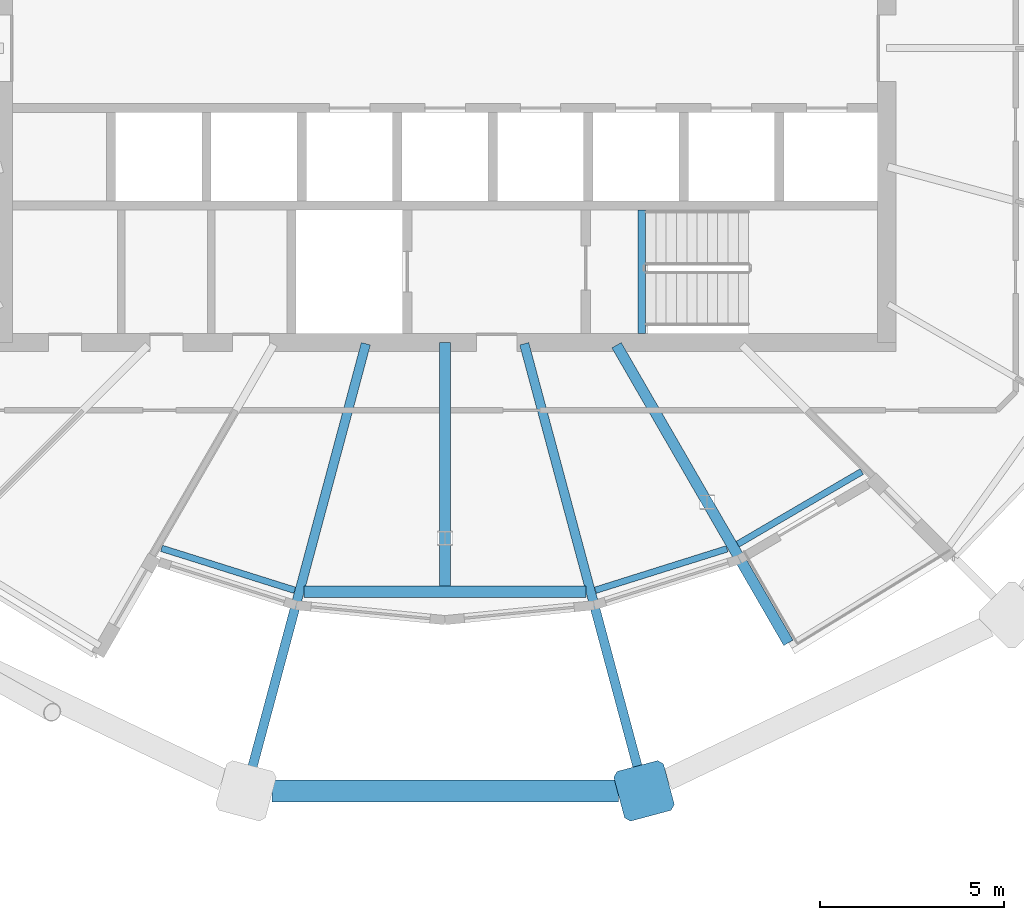
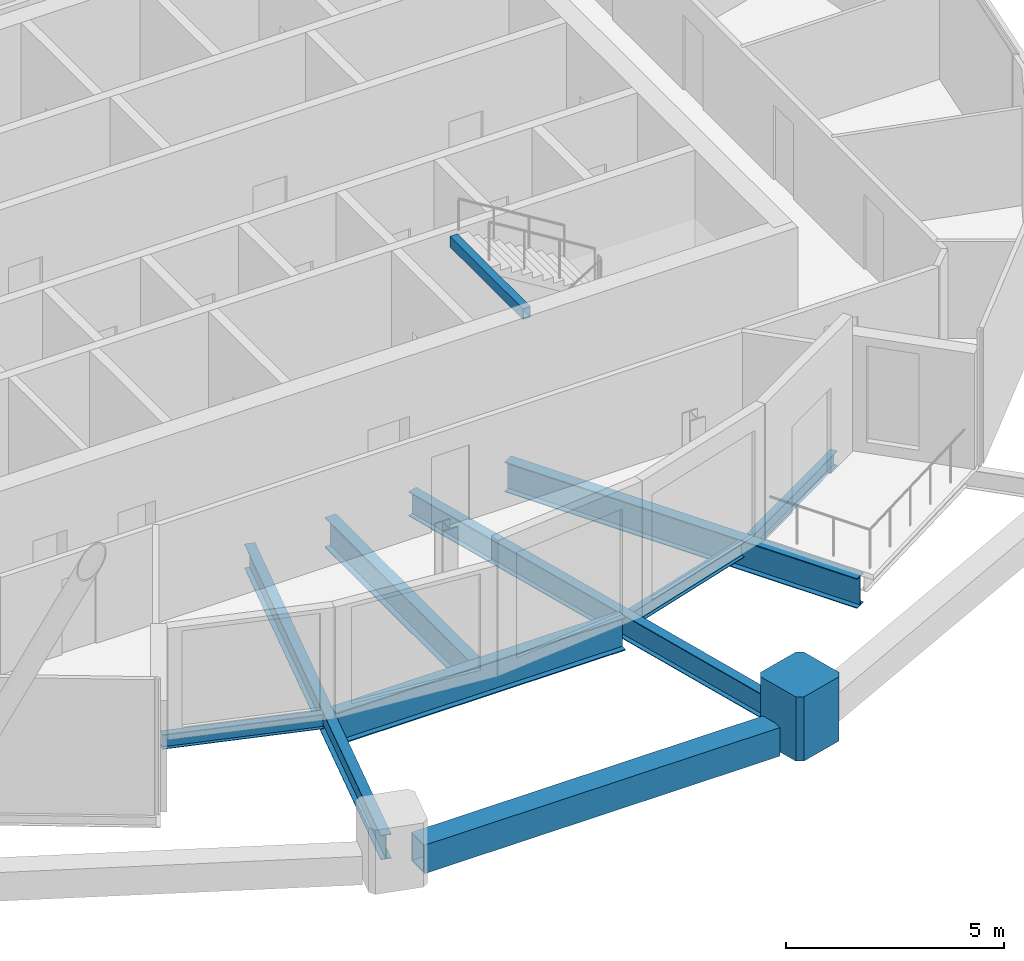
# One storey, part 4 of 34: 10 beams, 1 member.
"""IFC4 building model written with IfcOpenShell, lengths in metres."""

import ifcopenshell
import ifcopenshell.guid

model = None  # the IFC model being written
_history = None  # IfcOwnerHistory: only IFC2X3 demands one
_inside = {}  # id of a spatial element -> (the spatial element, [elements in it])
_under = {}  # id of a project, library or spatial element -> (it, [spatial elements below it])
_declared = {}  # id of a project -> (the project, [libraries it declares])
_typed = {}  # id of a type object -> (the type object, [elements of that type])
_made_of = {}  # id of a material, layer set ... -> (it, [elements and type objects made of it])


def new_model(schema):
    """Start an empty IFC model of exactly this schema.

    Asked for "IFC4X3", IfcOpenShell would pick the latest addendum, in which some entities
    have other attributes; the version numbers below select the first issue.
    IFC2X3 requires an IfcOwnerHistory on every rooted entity: one is made here for all.
    """
    global model, _history
    if schema == "IFC4X3":
        model = ifcopenshell.file(schema_version=(4, 3, 0, 0))
    else:
        model = ifcopenshell.file(schema=schema)
    _inside.clear()
    _under.clear()
    _declared.clear()
    _typed.clear()
    _made_of.clear()
    _history = None
    if model.schema == "IFC2X3":
        org = make("IfcOrganization", Name="unknown")
        user = make(
            "IfcPersonAndOrganization",
            ThePerson=make("IfcPerson", FamilyName="unknown"),
            TheOrganization=org,
        )
        app = make(
            "IfcApplication",
            ApplicationDeveloper=org,
            Version="unknown",
            ApplicationFullName="unknown",
            ApplicationIdentifier="unknown",
        )
        _history = make(
            "IfcOwnerHistory",
            OwningUser=user,
            OwningApplication=app,
            ChangeAction="ADDED",
            CreationDate=0,
        )
    return model


def make(cls, **values):
    """One entity of the class cls with the attributes given. An attribute that is None is left unset."""
    return model.create_entity(
        cls, **{name: value for name, value in values.items() if value is not None}
    )


def rooted(cls, **values):
    """An entity with a GlobalId (a new one), such as an element, a storey or a relation."""
    return make(cls, GlobalId=ifcopenshell.guid.new(), OwnerHistory=_history, **values)


def si_unit(unit_type, name, prefix=None):
    """IfcSIUnit, for example si_unit("LENGTHUNIT", "METRE", prefix="MILLI")."""
    return make("IfcSIUnit", UnitType=unit_type, Prefix=prefix, Name=name)


def assignment(units):
    """IfcUnitAssignment: the units of a project."""
    return None if units is None else make("IfcUnitAssignment", Units=units)


def point(xyz):
    """IfcCartesianPoint."""
    return None if xyz is None else make("IfcCartesianPoint", Coordinates=xyz)


def direction(xyz):
    """IfcDirection."""
    return None if xyz is None else make("IfcDirection", DirectionRatios=xyz)


def frame(location, z_axis=None, x_axis=None):
    """IfcAxis2Placement3D, a coordinate frame: its origin and axes. An axis left out is left unset."""
    return make(
        "IfcAxis2Placement3D",
        Location=point(location),
        Axis=direction(z_axis),
        RefDirection=direction(x_axis),
    )


def frame_2d(location, x_axis=None):
    """IfcAxis2Placement2D, a coordinate frame in the plane: its origin and x axis."""
    return make(
        "IfcAxis2Placement2D", Location=point(location), RefDirection=direction(x_axis)
    )


def origin():
    """The frame at (0, 0, 0) with its axes left unset."""
    return frame((0.0, 0.0, 0.0))


def origin_2d():
    """The frame at (0, 0) in the plane with its x axis left unset."""
    return frame_2d((0.0, 0.0))


def place(relative_to, where):
    """IfcLocalPlacement: puts the frame where relative to a parent placement (None: the world)."""
    return make(
        "IfcLocalPlacement", PlacementRelTo=relative_to, RelativePlacement=where
    )


def context(
    kind, dimensions, precision=None, world=None, true_north=None, identifier=None
):
    """IfcGeometricRepresentationContext, for example the 3D "Model" context."""
    return make(
        "IfcGeometricRepresentationContext",
        ContextIdentifier=identifier,
        ContextType=kind,
        CoordinateSpaceDimension=dimensions,
        Precision=precision,
        WorldCoordinateSystem=world,
        TrueNorth=true_north,
    )


def subcontext(parent, identifier, kind, view, scale=None):
    """IfcGeometricRepresentationSubContext, for example "Body" below "Model"."""
    return make(
        "IfcGeometricRepresentationSubContext",
        ContextIdentifier=identifier,
        ContextType=kind,
        ParentContext=parent,
        TargetScale=scale,
        TargetView=view,
    )


def project(units=None, contexts=None):
    """IfcProject with its units and contexts."""
    return rooted(
        "IfcProject",
        Name="project",
        RepresentationContexts=contexts,
        UnitsInContext=assignment(units),
    )


def spatial(cls, under=None, at=None, **own):
    """A site, building, storey or space (cls), placed at a placement, below another one or the project."""
    s = rooted(cls, ObjectPlacement=at, **own)
    if under is not None:
        _under.setdefault(under.id(), (under, []))[1].append(s)
    return s


def polyline(points):
    """IfcPolyline through the points."""
    return make("IfcPolyline", Points=[point(p) for p in points])


def profile(cls, at=None, kind="AREA", **sizes):
    """A parametric profile (cls). Its sizes go by their IFC names, for example OverallWidth=200.0."""
    return make(cls, ProfileType=kind, Position=at, **sizes)


def hollow_rectangle(**sizes):
    """IfcRectangleHollowProfileDef."""
    return profile("IfcRectangleHollowProfileDef", **sizes)


def i_section(**sizes):
    """IfcIShapeProfileDef."""
    return profile("IfcIShapeProfileDef", **sizes)


def outline(outer, holes=None, kind="AREA"):
    """IfcArbitraryClosedProfileDef: a profile drawn as a closed curve; with holes, ...WithVoids."""
    if holes is None:
        return make("IfcArbitraryClosedProfileDef", ProfileType=kind, OuterCurve=outer)
    return make(
        "IfcArbitraryProfileDefWithVoids",
        ProfileType=kind,
        OuterCurve=outer,
        InnerCurves=holes,
    )


def extrude(swept, where, along, depth):
    """IfcExtrudedAreaSolid: the profile swept, set in the frame where, extruded along a direction by depth."""
    return make(
        "IfcExtrudedAreaSolid",
        SweptArea=swept,
        Position=where,
        ExtrudedDirection=direction(along),
        Depth=depth,
    )


def shape(context_of_items, identifier, shape_type, items):
    """IfcShapeRepresentation: the items that make up one representation, for example the "Body"."""
    return make(
        "IfcShapeRepresentation",
        ContextOfItems=context_of_items,
        RepresentationIdentifier=identifier,
        RepresentationType=shape_type,
        Items=items,
    )


def material(Name=None, Category=None):
    """IfcMaterial."""
    return make("IfcMaterial", Name=Name, Category=Category)


def material_profile(
    of_material, cross_section, Name=None, Category=None, Priority=None
):
    """IfcMaterialProfile: a cross section and its material."""
    return make(
        "IfcMaterialProfile",
        Name=Name,
        Material=of_material,
        Profile=cross_section,
        Priority=Priority,
        Category=Category,
    )


def profile_set(profiles, Name=None, composite=None):
    """IfcMaterialProfileSet."""
    return make(
        "IfcMaterialProfileSet",
        Name=Name,
        MaterialProfiles=profiles,
        CompositeProfile=composite,
    )


def made_of(thing, what):
    """Note that an element or type object is made of a material, layer set ...; save() writes the relation."""
    if what is not None:
        _made_of.setdefault(what.id(), (what, []))[1].append(thing)
    return thing


def type_object(cls, material=None, **own):
    """A type object (cls), such as IfcWallType, which elements share."""
    return made_of(rooted(cls, **own), material)


def element(
    cls,
    number,
    at=None,
    inside=None,
    cuts=None,
    type_object=None,
    material=None,
    context=None,
    identifier="Body",
    shape_type=None,
    held_by="IfcProductDefinitionShape",
    body=None,
    shapes=None,
    **own,
):
    """One element of the class cls, such as IfcWall. Its Tag is "e" and its number.

    at: its placement. inside: the storey or other place that contains it. cuts: it is an
    opening in that element (IfcRelVoidsElement). A single representation is given by context,
    identifier, shape_type and body (its items); several are given by shapes. held_by: the class
    of the entity that holds the representations. save() writes the other relations.
    """
    e = rooted(cls, Tag="e%d" % number, ObjectPlacement=at, **own)
    if body is not None:
        shapes = [shape(context, identifier, shape_type, body)]
    if shapes is not None:
        e.Representation = make(held_by, Representations=shapes)
    if inside is not None:
        _inside.setdefault(inside.id(), (inside, []))[1].append(e)
    if cuts is not None:
        rooted(
            "IfcRelVoidsElement", RelatingBuildingElement=cuts, RelatedOpeningElement=e
        )
    if type_object is not None:
        _typed.setdefault(type_object.id(), (type_object, []))[1].append(e)
    return made_of(e, material)


def aggregate(whole, parts):
    """IfcRelAggregates: a whole, such as a stair, and the parts it consists of."""
    return rooted("IfcRelAggregates", RelatingObject=whole, RelatedObjects=parts)


def save(model, path):
    """Write the relations noted so far, then the file.

    IfcRelAggregates (storeys below a building ...), IfcRelContainedInSpatialStructure (elements
    in a storey), IfcRelDefinesByType, IfcRelAssociatesMaterial and IfcRelDeclares: one each for
    every whole, place, type object, material and project.
    """
    for whole, parts in _under.values():
        aggregate(whole, parts)
    for where, things in _inside.values():
        rooted(
            "IfcRelContainedInSpatialStructure",
            RelatedElements=things,
            RelatingStructure=where,
        )
    for kind, things in _typed.values():
        rooted("IfcRelDefinesByType", RelatedObjects=things, RelatingType=kind)
    for what, things in _made_of.values():
        rooted("IfcRelAssociatesMaterial", RelatedObjects=things, RelatingMaterial=what)
    for by, libraries in _declared.values():
        rooted("IfcRelDeclares", RelatingContext=by, RelatedDefinitions=libraries)
    model.write(path)


model = new_model("IFC4")

# Units and contexts
model_context = context("Model", 3, precision=1e-05, world=origin(), true_north=direction((0.0, 1.0)))
body_context = subcontext(model_context, "Body", "Model", "MODEL_VIEW")
ifc_project = project(units=[si_unit("LENGTHUNIT", "METRE"), si_unit("AREAUNIT", "SQUARE_METRE"), si_unit("VOLUMEUNIT", "CUBIC_METRE"), si_unit("PLANEANGLEUNIT", "RADIAN"), si_unit("MASSUNIT", "GRAM", prefix="KILO")], contexts=[model_context])

# Site, building, storey
site_placement = place(None, origin())
site = spatial("IfcSite", under=ifc_project, at=site_placement, CompositionType="ELEMENT")
building_placement = place(site_placement, origin())
building = spatial("IfcBuilding", under=site, at=building_placement, Name="Rimbun Link Towers", CompositionType="ELEMENT")
storey_placement = place(building_placement, frame((0.0, 0.0, 221.89990234375)))
storey = spatial("IfcBuildingStorey", under=building, at=storey_placement, Name="L54", CompositionType="ELEMENT", Elevation=221.89990234375)

# Member
ifc_material_1 = material(Name="Cast steel G20Mn5+QT, Rp0.2 300 MPa", Category="steel")
ifc_material_profile_1 = material_profile(ifc_material_1, outline(polyline([(0.699951171875, -0.570068359375), (0.699951171875, 0.570068359375), (0.570068359375, 0.699951171875), (-0.570068359375, 0.699951171875), (-0.699951171875, 0.570068359375), (-0.699951171875, -0.570068359375), (-0.570068359375, -0.699951171875), (0.570068359375, -0.699951171875), (0.699951171875, -0.570068359375)])), Name="NODE 1400x1400")
ifc_profile_set_1 = profile_set([ifc_material_profile_1], Name="Cast steel G20Mn5+QT, Rp0.2 300 MPa")
member_type = type_object("IfcMemberType", Name="Diagrid node cast 1400", PredefinedType="USERDEFINED", material=ifc_profile_set_1)
member_placement = place(storey_placement, frame((-26.34130859375, -20.185302734375, -0.89990234375), z_axis=(0.0, 0.0, 1.0), x_axis=(0.258819045103, -0.965925826289, 0.0)))
element("IfcMember", 1, at=member_placement, inside=storey, type_object=member_type, Name="Diagrid node L54 19", ObjectType="Diagrid node", PredefinedType="USERDEFINED", context=body_context, shape_type="SweptSolid", body=[
    extrude(outline(polyline([(0.699951171875, -0.570068359375), (0.699951171875, 0.570068359375), (0.570068359375, 0.699951171875), (-0.570068359375, 0.699951171875), (-0.699951171875, 0.570068359375), (-0.699951171875, -0.570068359375), (-0.570068359375, -0.699951171875), (0.570068359375, -0.699951171875), (0.699951171875, -0.570068359375)])), origin(), (0.0, 0.0, 1.0), 1.800048828125),
])

# Beams
ifc_material_2 = material(Name="Steel S355J2", Category="steel")
ifc_material_profile_2 = material_profile(ifc_material_2, hollow_rectangle(XDim=0.60009765625, YDim=0.800048828125, WallThickness=0.0400390625, at=origin_2d()), Name="Exoskeleton ring girder BOX 600x800x40")
ifc_profile_set_2 = profile_set([ifc_material_profile_2], Name="Steel S355J2")
beam_type_1 = type_object("IfcBeamType", Name="Exoskeleton ring girder BOX 600x800x40", PredefinedType="BEAM", material=ifc_profile_set_2)
beam_1_placement = place(storey_placement, frame((-36.45849609375, -20.185302734375, -0.559814453125), z_axis=(1.0, 0.0, 0.0), x_axis=(0.0, 1.0, 0.0)))
element("IfcBeam", 2, at=beam_1_placement, inside=storey, type_object=beam_type_1, Name="Exoskeleton ring girder L54 08", PredefinedType="BEAM", context=body_context, shape_type="SweptSolid", body=[
    extrude(hollow_rectangle(XDim=0.60009765625, YDim=0.800048828125, WallThickness=0.0400390625, at=origin_2d()), origin(), (0.0, 0.0, 1.0), 9.4169921875),
])
ifc_material_3 = material(Name="Steel S355J2", Category="steel")
ifc_material_profile_3 = material_profile(ifc_material_3, hollow_rectangle(XDim=0.199951171875, YDim=0.300048828125, WallThickness=0.011962890625, at=origin_2d()), Name="BOX 300x200x12")
ifc_profile_set_3 = profile_set([ifc_material_profile_3], Name="Steel S355J2")
beam_type_2 = type_object("IfcBeamType", Name="Stair trimmer beam BOX 300x200x12", PredefinedType="BEAM", material=ifc_profile_set_3)
beam_2_placement = place(storey_placement, frame((-26.39990234375, -7.75, 3.510009765625), z_axis=(0.0, 1.0, 0.0), x_axis=(-1.0, 0.0, 0.0)))
element("IfcBeam", 3, at=beam_2_placement, inside=storey, type_object=beam_type_2, Name="L54 ST2 stair beam 1", PredefinedType="BEAM", context=body_context, shape_type="SweptSolid", body=[
    extrude(hollow_rectangle(XDim=0.199951171875, YDim=0.300048828125, WallThickness=0.011962890625, at=origin_2d()), origin(), (0.0, 0.0, 1.0), 3.35009765625),
])
ifc_material_4 = material(Name="Steel S355J2", Category="steel")
ifc_material_profile_4 = material_profile(ifc_material_4, i_section(OverallWidth=0.177978515625, OverallDepth=0.406494140625, WebThickness=0.0078125, FlangeThickness=0.0126953125, at=origin_2d()), Name="UB 406x178x60")
ifc_profile_set_4 = profile_set([ifc_material_profile_4], Name="Steel S355J2")
beam_type_3 = type_object("IfcBeamType", Name="UB 406x178x60", PredefinedType="BEAM", material=ifc_profile_set_4)
beam_3_placement = place(storey_placement, frame((-39.4541015625, -13.59375, -0.343017578125), z_axis=(0.95385061556, -0.300281539886, 0.0), x_axis=(0.300281539886, 0.95385061556, 0.0)))
element("IfcBeam", 4, at=beam_3_placement, inside=storey, type_object=beam_type_3, Name="Edge beam T1 L54 16 recess", PredefinedType="BEAM", context=body_context, shape_type="SweptSolid", body=[
    extrude(i_section(OverallWidth=0.177978515625, OverallDepth=0.406494140625, WebThickness=0.0078125, FlangeThickness=0.0126953125, at=origin_2d()), origin(), (0.0, 0.0, 1.0), 3.795166015625),
])
beam_4_placement = place(storey_placement, frame((-27.666015625, -14.7333984375, -0.343017578125), z_axis=(0.953864432849, 0.300237645451, 0.0), x_axis=(-0.300237645451, 0.953864432849, 0.0)))
element("IfcBeam", 5, at=beam_4_placement, inside=storey, type_object=beam_type_3, Name="Edge beam T1 L54 19 recess", PredefinedType="BEAM", context=body_context, shape_type="SweptSolid", body=[
    extrude(i_section(OverallWidth=0.177978515625, OverallDepth=0.406494140625, WebThickness=0.0078125, FlangeThickness=0.0126953125, at=origin_2d()), origin(), (0.0, 0.0, 1.0), 3.752685546875),
])
beam_5_placement = place(storey_placement, frame((-23.79638671875, -13.480712890625, -0.343017578125), z_axis=(0.863059645393, 0.505102017908, 0.0), x_axis=(-0.505102017908, 0.863059645393, 0.0)))
element("IfcBeam", 6, at=beam_5_placement, inside=storey, type_object=beam_type_3, Name="Edge beam T1 L54 20 recess", PredefinedType="BEAM", context=body_context, shape_type="SweptSolid", body=[
    extrude(i_section(OverallWidth=0.177978515625, OverallDepth=0.406494140625, WebThickness=0.0078125, FlangeThickness=0.0126953125, at=origin_2d()), origin(), (0.0, 0.0, 1.0), 3.907470703125),
])
ifc_material_5 = material(Name="Steel S355J2", Category="steel")
ifc_material_profile_5 = material_profile(ifc_material_5, i_section(OverallWidth=0.253662109375, OverallDepth=0.68359375, WebThickness=0.012451171875, FlangeThickness=0.01904296875, at=origin_2d()), Name="UB 686x254x140")
ifc_profile_set_5 = profile_set([ifc_material_profile_5], Name="Steel S355J2")
beam_type_4 = type_object("IfcBeamType", Name="UB 686x254x140", PredefinedType="BEAM", material=ifc_profile_set_5)
for number, where, z_axis, x_axis, name in (
    (7, (-33.902587890625, -8.03369140625, -0.481689453125), (-0.258825990636, -0.965923965212, 0.0), (0.965923965212, -0.258825990636, 0.0), "Radial beam T1 L54 17"),
    (8, (-29.597412109375, -8.03369140625, -0.481689453125), (0.258825990636, -0.965923965212, 0.0), (0.965923965212, 0.258825990636, 0.0), "Radial beam T1 L54 19"),
):
    element("IfcBeam", number, at=place(storey_placement, frame(where, z_axis=z_axis, x_axis=x_axis)), inside=storey, type_object=beam_type_4, Name=name, PredefinedType="BEAM", context=body_context, shape_type="SweptSolid", body=[
        extrude(i_section(OverallWidth=0.253662109375, OverallDepth=0.68359375, WebThickness=0.012451171875, FlangeThickness=0.01904296875, at=origin_2d()), origin(), (0.0, 0.0, 1.0), 12.080322265625),
    ])
ifc_material_6 = material(Name="Steel S355J2", Category="steel")
ifc_material_profile_6 = material_profile(ifc_material_6, i_section(OverallWidth=0.29248046875, OverallDepth=0.8408203125, WebThickness=0.0126953125, FlangeThickness=0.021728515625, at=origin_2d()), Name="UB 838x292x194")
ifc_profile_set_6 = profile_set([ifc_material_profile_6], Name="Steel S355J2")
beam_type_5 = type_object("IfcBeamType", Name="UB 838x292x194", PredefinedType="BEAM", material=ifc_profile_set_6)
beam_6_placement = place(storey_placement, frame((-31.75, -8.0009765625, -0.560302734375), z_axis=(0.0, -1.0, 0.0), x_axis=(1.0, 0.0, 0.0)))
element("IfcBeam", 9, at=beam_6_placement, inside=storey, type_object=beam_type_5, Name="Radial beam T1 L54 18", PredefinedType="BEAM", context=body_context, shape_type="SweptSolid", body=[
    extrude(i_section(OverallWidth=0.29248046875, OverallDepth=0.8408203125, WebThickness=0.0126953125, FlangeThickness=0.021728515625, at=origin_2d()), origin(), (0.0, 0.0, 1.0), 6.6181640625),
])
beam_7_placement = place(storey_placement, frame((-27.08837890625, -8.073974609375, -0.560302734375), z_axis=(0.499984921984, -0.866034108906, 0.0), x_axis=(0.866034108906, 0.499984921984, 0.0)))
element("IfcBeam", 10, at=beam_7_placement, inside=storey, type_object=beam_type_5, Name="Radial beam T1 L54 20", PredefinedType="BEAM", context=body_context, shape_type="SweptSolid", body=[
    extrude(i_section(OverallWidth=0.29248046875, OverallDepth=0.8408203125, WebThickness=0.0126953125, FlangeThickness=0.021728515625, at=origin_2d()), origin(), (0.0, 0.0, 1.0), 9.340087890625),
])
ifc_material_7 = material(Name="Steel S355J2", Category="steel")
ifc_material_profile_7 = material_profile(ifc_material_7, i_section(OverallWidth=0.305419921875, OverallDepth=0.91845703125, WebThickness=0.017333984375, FlangeThickness=0.02783203125, at=origin_2d()), Name="UB 914x305x253")
ifc_profile_set_7 = profile_set([ifc_material_profile_7], Name="Steel S355J2")
beam_type_6 = type_object("IfcBeamType", Name="UB 914x305x253", PredefinedType="BEAM", material=ifc_profile_set_7)
beam_8_placement = place(storey_placement, frame((-35.576171875, -14.77294921875, -0.59912109375), z_axis=(1.0, 0.0, 0.0), x_axis=(0.0, 1.0, 0.0)))
element("IfcBeam", 11, at=beam_8_placement, inside=storey, type_object=beam_type_6, Name="Edge beam T1 L54 17-19", PredefinedType="BEAM", context=body_context, shape_type="SweptSolid", body=[
    extrude(i_section(OverallWidth=0.305419921875, OverallDepth=0.91845703125, WebThickness=0.017333984375, FlangeThickness=0.02783203125, at=origin_2d()), origin(), (0.0, 0.0, 1.0), 7.65234375),
])

save(model, "model.ifc")
